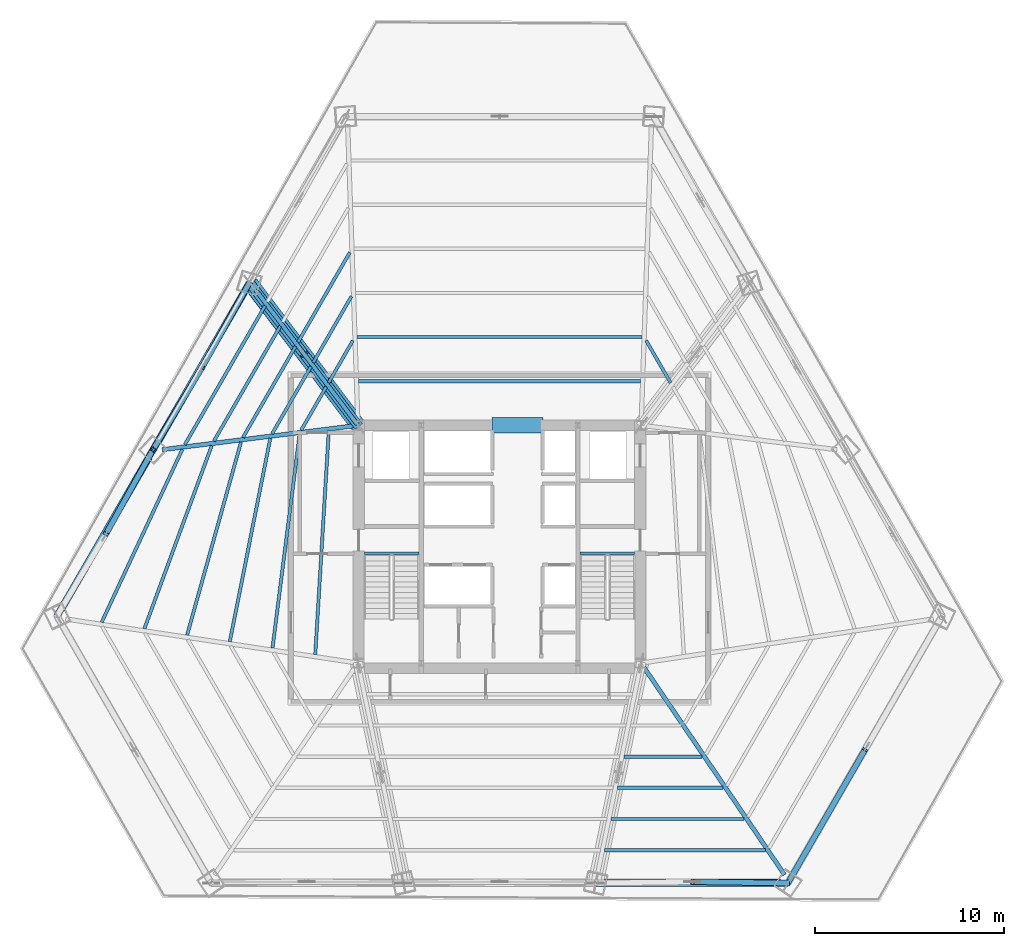
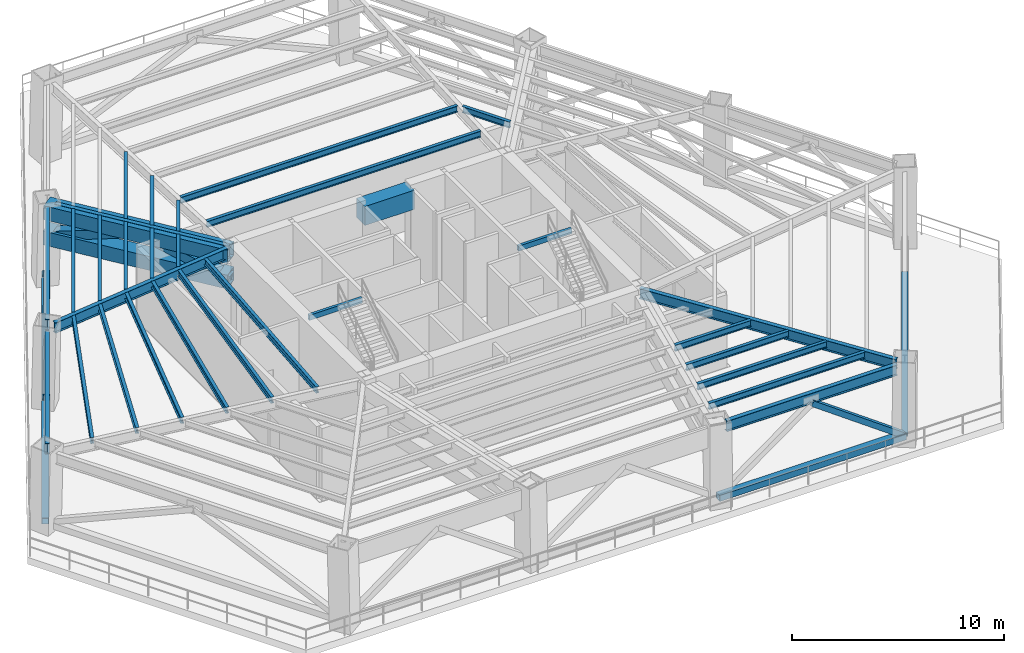
# One storey, part 4 of 13: 30 beams, 13 members.
"""IFC4 building model written with IfcOpenShell, lengths in metres."""

from ifc_helpers import new_model, si_unit, direction, frame, origin, origin_2d, place, context, subcontext, project, spatial, rectangle, hollow_rectangle, i_section, extrude, source, transform, mapped, material, material_profile, profile_set, type_object, type_shapes, element, save


model = new_model("IFC4")

# Units and contexts
model_context = context("Model", 3, precision=1e-05, world=origin(), true_north=direction((0.0, 1.0)))
body_context = subcontext(model_context, "Body", "Model", "MODEL_VIEW")
ifc_project = project(units=[si_unit("LENGTHUNIT", "METRE"), si_unit("AREAUNIT", "SQUARE_METRE"), si_unit("VOLUMEUNIT", "CUBIC_METRE"), si_unit("PLANEANGLEUNIT", "RADIAN"), si_unit("MASSUNIT", "GRAM", prefix="KILO")], contexts=[model_context])

# Site, building, storey
site_placement = place(None, origin())
site = spatial("IfcSite", under=ifc_project, at=site_placement, CompositionType="ELEMENT")
building_placement = place(site_placement, origin())
building = spatial("IfcBuilding", under=site, at=building_placement, Name="Caelisora Broadcast Tower", CompositionType="ELEMENT")
storey_placement = place(building_placement, frame((0.0, 0.0, 75.050048828125)))
storey = spatial("IfcBuildingStorey", under=building, at=storey_placement, Name="L19", CompositionType="ELEMENT", Elevation=75.050048828125)

# Beams
ifc_material_1 = material(Name="Steel Grade 350 (AS/NZS 1163 C350L0)", Category="steel")
ifc_material_profile_1 = material_profile(ifc_material_1, hollow_rectangle(XDim=0.14990234375, YDim=0.300048828125, WallThickness=0.010009765625, at=origin_2d()), Name="Steel Grade 350 (AS/NZS 1163 C350L0)")
ifc_profile_set_1 = profile_set([ifc_material_profile_1], Name="Steel Grade 350 (AS/NZS 1163 C350L0)")
beam_type_1 = type_object("IfcBeamType", Name="SB05", PredefinedType="JOIST", material=ifc_profile_set_1)
shared_shape_1 = source(origin(), body_context, "Body", "SweptSolid", [
    extrude(hollow_rectangle(XDim=0.14990234375, YDim=0.300048828125, WallThickness=0.010009765625, at=origin_2d()), origin(), (0.0, 0.0, 1.0), 2.89990234375),
])
type_shapes(beam_type_1, [shared_shape_1])
for number, where, z_axis, x_axis, name in (
    (1, (30.840087890625, 23.219970703125, 4.39990234375), (1.0, 0.0, 0.0), (0.0, 1.0, 0.0), "L19 beam SB05"),
    (2, (42.260009765625, 23.219970703125, 4.39990234375), (1.0, 0.0, 0.0), (0.0, 1.0, 0.0), "L19 beam SB05"),
):
    element("IfcBeam", number, at=place(storey_placement, frame(where, z_axis=z_axis, x_axis=x_axis)), inside=storey, type_object=beam_type_1, Name=name, PredefinedType="JOIST", context=body_context, shape_type="MappedRepresentation", body=[
        mapped(shared_shape_1, transform((0.0, 0.0, 0.0), scale=1.0)),
    ])
ifc_material_2 = material(Name="Concrete 65 MPa (AS 3600 S65)", Category="concrete")
ifc_material_profile_2 = material_profile(ifc_material_2, rectangle(XDim=0.800048828125, YDim=1.10009765625, at=origin_2d()), Name="Concrete 65 MPa (AS 3600 S65)")
ifc_profile_set_2 = profile_set([ifc_material_profile_2], Name="Concrete 65 MPa (AS 3600 S65)")
beam_type_2 = type_object("IfcBeamType", Name="CB01", PredefinedType="LINTEL", material=ifc_profile_set_2)
shared_shape_2 = source(origin(), body_context, "Body", "SweptSolid", [
    extrude(rectangle(XDim=0.800048828125, YDim=1.10009765625, at=origin_2d()), origin(), (0.0, 0.0, 1.0), 2.699951171875),
])
type_shapes(beam_type_2, [shared_shape_2])
beam_1_placement = place(storey_placement, frame((37.60009765625, 30.0, 4.0), z_axis=(1.0, 0.0, 0.0), x_axis=(0.0, 1.0, 0.0)))
element("IfcBeam", 3, at=beam_1_placement, inside=storey, type_object=beam_type_2, Name="L19 beam CB01", PredefinedType="LINTEL", context=body_context, shape_type="MappedRepresentation", body=[
    mapped(shared_shape_2, transform((0.0, 0.0, 0.0), scale=1.0)),
])
ifc_material_3 = material(Name="Steel Grade 350 (AS/NZS 3679.1)", Category="steel")
ifc_material_profile_3 = material_profile(ifc_material_3, i_section(OverallWidth=0.172119140625, OverallDepth=0.358642578125, WebThickness=0.008056640625, FlangeThickness=0.012939453125, at=origin_2d()), Name="Steel Grade 350 (AS/NZS 3679.1)")
ifc_profile_set_3 = profile_set([ifc_material_profile_3], Name="Steel Grade 350 (AS/NZS 3679.1)")
beam_type_3 = type_object("IfcBeamType", Name="SB02", PredefinedType="JOIST", material=ifc_profile_set_3)
shared_shape_3 = source(origin(), body_context, "Body", "SweptSolid", [
    extrude(i_section(OverallWidth=0.172119140625, OverallDepth=0.358642578125, WebThickness=0.008056640625, FlangeThickness=0.012939453125, at=origin_2d()), origin(), (0.0, 0.0, 1.0), 10.33642578125),
])
beam_2_placement = place(storey_placement, frame((22.75146484375, 28.922119140625, 4.37060546875), z_axis=(-0.3452926764, -0.938495054662, 0.0), x_axis=(0.938495054662, -0.3452926764, 0.0)))
element("IfcBeam", 4, at=beam_2_placement, inside=storey, type_object=beam_type_3, Name="L19 beam SB02", PredefinedType="JOIST", context=body_context, shape_type="MappedRepresentation", body=[
    mapped(shared_shape_3, transform((0.0, 0.0, 0.0), scale=1.0)),
])
ifc_material_profile_4 = material_profile(ifc_material_3, i_section(OverallWidth=0.22900390625, OverallDepth=0.611572265625, WebThickness=0.011962890625, FlangeThickness=0.01953125, at=origin_2d()), Name="Steel Grade 350 (AS/NZS 3679.1)")
ifc_profile_set_4 = profile_set([ifc_material_profile_4], Name="Steel Grade 350 (AS/NZS 3679.1)")
beam_type_4 = type_object("IfcBeamType", Name="PG03", PredefinedType="BEAM", material=ifc_profile_set_4)
shared_shape_4 = source(origin(), body_context, "Body", "SweptSolid", [
    extrude(i_section(OverallWidth=0.22900390625, OverallDepth=0.611572265625, WebThickness=0.011962890625, FlangeThickness=0.01953125, at=origin_2d()), origin(), (0.0, 0.0, 1.0), 9.303955078125),
])
beam_3_placement = place(storey_placement, frame((24.594482421875, 37.111328125, 4.244140625), z_axis=(-0.499982911864, -0.8660352694, 0.0), x_axis=(0.8660352694, -0.499982911864, 0.0)))
element("IfcBeam", 5, at=beam_3_placement, inside=storey, type_object=beam_type_4, Name="L19 beam PG03", PredefinedType="BEAM", context=body_context, shape_type="MappedRepresentation", body=[
    mapped(shared_shape_4, transform((0.0, 0.0, 0.0), scale=1.0)),
])
shared_shape_5 = source(origin(), body_context, "Body", "SweptSolid", [
    extrude(i_section(OverallWidth=0.22900390625, OverallDepth=0.611572265625, WebThickness=0.011962890625, FlangeThickness=0.01953125, at=origin_2d()), origin(), (0.0, 0.0, 1.0), 9.30419921875),
])
type_shapes(beam_type_4, [shared_shape_4, shared_shape_5])
for number, where, z_axis, x_axis, name in (
    (6, (19.482666015625, 28.257080078125, 4.244140625), (-0.500002592159, -0.866023907196, 0.0), (0.866023907196, -0.500002592159, 0.0), "L19 beam PG03"),
    (7, (43.572021484375, 5.8349609375, 4.244140625), (1.0, 0.0, 0.0), (0.0, 1.0, 0.0), "L19 beam PG03"),
):
    element("IfcBeam", number, at=place(storey_placement, frame(where, z_axis=z_axis, x_axis=x_axis)), inside=storey, type_object=beam_type_4, Name=name, PredefinedType="BEAM", context=body_context, shape_type="MappedRepresentation", body=[
        mapped(shared_shape_5, transform((0.0, 0.0, 0.0), scale=1.0)),
    ])
ifc_material_profile_5 = material_profile(ifc_material_3, i_section(OverallWidth=0.22802734375, OverallDepth=0.602294921875, WebThickness=0.010498046875, FlangeThickness=0.014892578125, at=origin_2d()), Name="Steel Grade 350 (AS/NZS 3679.1)")
ifc_profile_set_5 = profile_set([ifc_material_profile_5], Name="Steel Grade 350 (AS/NZS 3679.1)")
beam_type_5 = type_object("IfcBeamType", Name="PG04", PredefinedType="BEAM", material=ifc_profile_set_5)
shared_shape_6 = source(origin(), body_context, "Body", "SweptSolid", [
    extrude(i_section(OverallWidth=0.22802734375, OverallDepth=0.602294921875, WebThickness=0.010498046875, FlangeThickness=0.014892578125, at=origin_2d()), origin(), (0.0, 0.0, 1.0), 8.93310546875),
])
beam_4_placement = place(storey_placement, frame((30.4638671875, 30.0478515625, 4.248779296875), z_axis=(-0.602930127759, 0.797793996619, 0.0), x_axis=(-0.797793996619, -0.602930127759, 0.0)))
element("IfcBeam", 8, at=beam_4_placement, inside=storey, type_object=beam_type_5, Name="L19 beam PG04", PredefinedType="BEAM", context=body_context, shape_type="MappedRepresentation", body=[
    mapped(shared_shape_6, transform((0.0, 0.0, 0.0), scale=1.0)),
])
shared_shape_7 = source(origin(), body_context, "Body", "SweptSolid", [
    extrude(i_section(OverallWidth=0.22802734375, OverallDepth=0.602294921875, WebThickness=0.010498046875, FlangeThickness=0.014892578125, at=origin_2d()), origin(), (0.0, 0.0, 1.0), 10.390869140625),
])
beam_5_placement = place(storey_placement, frame((30.4404296875, 29.99267578125, 4.248779296875), z_axis=(-0.992319029863, -0.123705064456, 0.0), x_axis=(0.123705064456, -0.992319029863, 0.0)))
element("IfcBeam", 9, at=beam_5_placement, inside=storey, type_object=beam_type_5, Name="L19 beam PG04", PredefinedType="BEAM", context=body_context, shape_type="MappedRepresentation", body=[
    mapped(shared_shape_7, transform((0.0, 0.0, 0.0), scale=1.0)),
])
shared_shape_8 = source(origin(), body_context, "Body", "SweptSolid", [
    extrude(i_section(OverallWidth=0.22802734375, OverallDepth=0.602294921875, WebThickness=0.010498046875, FlangeThickness=0.014892578125, at=origin_2d()), origin(), (0.0, 0.0, 1.0), 13.48974609375),
])
type_shapes(beam_type_5, [shared_shape_6, shared_shape_7, shared_shape_8])
beam_6_placement = place(storey_placement, frame((45.53369140625, 17.350341796875, 4.248779296875), z_axis=(0.560932578548, -0.827861487402, 0.0), x_axis=(0.827861487402, 0.560932578548, 0.0)))
element("IfcBeam", 10, at=beam_6_placement, inside=storey, type_object=beam_type_5, Name="L19 beam PG04", PredefinedType="BEAM", context=body_context, shape_type="MappedRepresentation", body=[
    mapped(shared_shape_8, transform((0.0, 0.0, 0.0), scale=1.0)),
])
shared_shape_9 = source(origin(), body_context, "Body", "SweptSolid", [
    extrude(i_section(OverallWidth=0.172119140625, OverallDepth=0.358642578125, WebThickness=0.008056640625, FlangeThickness=0.012939453125, at=origin_2d()), origin(), (0.0, 0.0, 1.0), 14.93896484375),
])
beam_7_placement = place(storey_placement, frame((45.469482421875, 32.337646484375, 4.37060546875), z_axis=(-1.0, 0.0, 0.0), x_axis=(0.0, -1.0, 0.0)))
element("IfcBeam", 11, at=beam_7_placement, inside=storey, type_object=beam_type_3, Name="L19 beam SB02", PredefinedType="JOIST", context=body_context, shape_type="MappedRepresentation", body=[
    mapped(shared_shape_9, transform((0.0, 0.0, 0.0), scale=1.0)),
])
shared_shape_10 = source(origin(), body_context, "Body", "SweptSolid", [
    extrude(i_section(OverallWidth=0.172119140625, OverallDepth=0.358642578125, WebThickness=0.008056640625, FlangeThickness=0.012939453125, at=origin_2d()), origin(), (0.0, 0.0, 1.0), 15.099609375),
])
beam_8_placement = place(storey_placement, frame((45.5498046875, 34.67529296875, 4.37060546875), z_axis=(-1.0, 0.0, 0.0), x_axis=(0.0, -1.0, 0.0)))
element("IfcBeam", 12, at=beam_8_placement, inside=storey, type_object=beam_type_3, Name="L19 beam SB02", PredefinedType="JOIST", context=body_context, shape_type="MappedRepresentation", body=[
    mapped(shared_shape_10, transform((0.0, 0.0, 0.0), scale=1.0)),
])
shared_shape_11 = source(origin(), body_context, "Body", "SweptSolid", [
    extrude(i_section(OverallWidth=0.172119140625, OverallDepth=0.358642578125, WebThickness=0.008056640625, FlangeThickness=0.012939453125, at=origin_2d()), origin(), (0.0, 0.0, 1.0), 2.588134765625),
])
for number, where, z_axis, x_axis, name in (
    (13, (30.23291015625, 34.49169921875, 4.37060546875), (-0.49995381336, -0.866052068011, 0.0), (0.866052068011, -0.49995381336, 0.0), "L19 beam SB02"),
    (14, (47.06103515625, 32.250244140625, 4.37060546875), (-0.49995381336, 0.866052068011, 0.0), (-0.866052068011, -0.49995381336, 0.0), "L19 beam SB02"),
):
    element("IfcBeam", number, at=place(storey_placement, frame(where, z_axis=z_axis, x_axis=x_axis)), inside=storey, type_object=beam_type_3, Name=name, PredefinedType="JOIST", context=body_context, shape_type="MappedRepresentation", body=[
        mapped(shared_shape_11, transform((0.0, 0.0, 0.0), scale=1.0)),
    ])
shared_shape_12 = source(origin(), body_context, "Body", "SweptSolid", [
    extrude(i_section(OverallWidth=0.172119140625, OverallDepth=0.358642578125, WebThickness=0.008056640625, FlangeThickness=0.012939453125, at=origin_2d()), origin(), (0.0, 0.0, 1.0), 4.048583984375),
])
beam_9_placement = place(storey_placement, frame((30.15234375, 36.829345703125, 4.37060546875), z_axis=(-0.499959089475, -0.866049022198, 0.0), x_axis=(0.866049022198, -0.499959089475, 0.0)))
element("IfcBeam", 15, at=beam_9_placement, inside=storey, type_object=beam_type_3, Name="L19 beam SB02", PredefinedType="JOIST", context=body_context, shape_type="MappedRepresentation", body=[
    mapped(shared_shape_12, transform((0.0, 0.0, 0.0), scale=1.0)),
])
shared_shape_13 = source(origin(), body_context, "Body", "SweptSolid", [
    extrude(i_section(OverallWidth=0.172119140625, OverallDepth=0.358642578125, WebThickness=0.008056640625, FlangeThickness=0.012939453125, at=origin_2d()), origin(), (0.0, 0.0, 1.0), 5.509033203125),
])
beam_10_placement = place(storey_placement, frame((30.072021484375, 39.1669921875, 4.37060546875), z_axis=(-0.500013993928, -0.866017324235, 0.0), x_axis=(0.866017324235, -0.500013993928, 0.0)))
element("IfcBeam", 16, at=beam_10_placement, inside=storey, type_object=beam_type_3, Name="L19 beam SB02", PredefinedType="JOIST", context=body_context, shape_type="MappedRepresentation", body=[
    mapped(shared_shape_13, transform((0.0, 0.0, 0.0), scale=1.0)),
])
shared_shape_14 = source(origin(), body_context, "Body", "SweptSolid", [
    extrude(i_section(OverallWidth=0.172119140625, OverallDepth=0.358642578125, WebThickness=0.008056640625, FlangeThickness=0.012939453125, at=origin_2d()), origin(), (0.0, 0.0, 1.0), 2.660400390625),
])
beam_11_placement = place(storey_placement, frame((28.818115234375, 32.041015625, 4.37060546875), z_axis=(-0.500037544306, -0.866003726484, 0.0), x_axis=(0.866003726484, -0.500037544306, 0.0)))
element("IfcBeam", 17, at=beam_11_placement, inside=storey, type_object=beam_type_3, Name="L19 beam SB02", PredefinedType="JOIST", context=body_context, shape_type="MappedRepresentation", body=[
    mapped(shared_shape_14, transform((0.0, 0.0, 0.0), scale=1.0)),
])
shared_shape_15 = source(origin(), body_context, "Body", "SweptSolid", [
    extrude(i_section(OverallWidth=0.172119140625, OverallDepth=0.358642578125, WebThickness=0.008056640625, FlangeThickness=0.012939453125, at=origin_2d()), origin(), (0.0, 0.0, 1.0), 4.12109375),
])
beam_12_placement = place(storey_placement, frame((28.00732421875, 33.11376953125, 4.37060546875), z_axis=(-0.500013052638, -0.866017867709, 0.0), x_axis=(0.866017867709, -0.500013052638, 0.0)))
element("IfcBeam", 18, at=beam_12_placement, inside=storey, type_object=beam_type_3, Name="L19 beam SB02", PredefinedType="JOIST", context=body_context, shape_type="MappedRepresentation", body=[
    mapped(shared_shape_15, transform((0.0, 0.0, 0.0), scale=1.0)),
])
shared_shape_16 = source(origin(), body_context, "Body", "SweptSolid", [
    extrude(i_section(OverallWidth=0.172119140625, OverallDepth=0.358642578125, WebThickness=0.008056640625, FlangeThickness=0.012939453125, at=origin_2d()), origin(), (0.0, 0.0, 1.0), 5.58154296875),
])
beam_13_placement = place(storey_placement, frame((27.196533203125, 34.1865234375, 4.37060546875), z_axis=(-0.500001378502, -0.866024607905, 0.0), x_axis=(0.866024607905, -0.500001378502, 0.0)))
element("IfcBeam", 19, at=beam_13_placement, inside=storey, type_object=beam_type_3, Name="L19 beam SB02", PredefinedType="JOIST", context=body_context, shape_type="MappedRepresentation", body=[
    mapped(shared_shape_16, transform((0.0, 0.0, 0.0), scale=1.0)),
])
shared_shape_17 = source(origin(), body_context, "Body", "SweptSolid", [
    extrude(i_section(OverallWidth=0.172119140625, OverallDepth=0.358642578125, WebThickness=0.008056640625, FlangeThickness=0.012939453125, at=origin_2d()), origin(), (0.0, 0.0, 1.0), 7.042236328125),
])
beam_14_placement = place(storey_placement, frame((26.3857421875, 35.259521484375, 4.37060546875), z_axis=(-0.49997953523, -0.866037218803, 0.0), x_axis=(0.866037218803, -0.49997953523, 0.0)))
element("IfcBeam", 20, at=beam_14_placement, inside=storey, type_object=beam_type_3, Name="L19 beam SB02", PredefinedType="JOIST", context=body_context, shape_type="MappedRepresentation", body=[
    mapped(shared_shape_17, transform((0.0, 0.0, 0.0), scale=1.0)),
])
shared_shape_18 = source(origin(), body_context, "Body", "SweptSolid", [
    extrude(i_section(OverallWidth=0.172119140625, OverallDepth=0.358642578125, WebThickness=0.008056640625, FlangeThickness=0.012939453125, at=origin_2d()), origin(), (0.0, 0.0, 1.0), 8.5029296875),
])
beam_15_placement = place(storey_placement, frame((25.574951171875, 36.332275390625, 4.37060546875), z_axis=(-0.499999164051, -0.866025886419, 0.0), x_axis=(0.866025886419, -0.499999164051, 0.0)))
element("IfcBeam", 21, at=beam_15_placement, inside=storey, type_object=beam_type_3, Name="L19 beam SB02", PredefinedType="JOIST", context=body_context, shape_type="MappedRepresentation", body=[
    mapped(shared_shape_18, transform((0.0, 0.0, 0.0), scale=1.0)),
])
shared_shape_19 = source(origin(), body_context, "Body", "SweptSolid", [
    extrude(i_section(OverallWidth=0.172119140625, OverallDepth=0.358642578125, WebThickness=0.008056640625, FlangeThickness=0.012939453125, at=origin_2d()), origin(), (0.0, 0.0, 1.0), 11.862548828125),
])
beam_16_placement = place(storey_placement, frame((28.9521484375, 29.695068359375, 4.37060546875), z_axis=(-0.060425465621, -0.998172712062, 0.0), x_axis=(0.998172712062, -0.060425465621, 0.0)))
element("IfcBeam", 22, at=beam_16_placement, inside=storey, type_object=beam_type_3, Name="L19 beam SB02", PredefinedType="JOIST", context=body_context, shape_type="MappedRepresentation", body=[
    mapped(shared_shape_19, transform((0.0, 0.0, 0.0), scale=1.0)),
])
shared_shape_20 = source(origin(), body_context, "Body", "SweptSolid", [
    extrude(i_section(OverallWidth=0.172119140625, OverallDepth=0.358642578125, WebThickness=0.008056640625, FlangeThickness=0.012939453125, at=origin_2d()), origin(), (0.0, 0.0, 1.0), 11.396240234375),
])
beam_17_placement = place(storey_placement, frame((27.403564453125, 29.501953125, 4.37060546875), z_axis=(-0.125687745787, -0.992069851653, 0.0), x_axis=(0.992069851653, -0.125687745787, 0.0)))
element("IfcBeam", 23, at=beam_17_placement, inside=storey, type_object=beam_type_3, Name="L19 beam SB02", PredefinedType="JOIST", context=body_context, shape_type="MappedRepresentation", body=[
    mapped(shared_shape_20, transform((0.0, 0.0, 0.0), scale=1.0)),
])
shared_shape_21 = source(origin(), body_context, "Body", "SweptSolid", [
    extrude(i_section(OverallWidth=0.172119140625, OverallDepth=0.358642578125, WebThickness=0.008056640625, FlangeThickness=0.012939453125, at=origin_2d()), origin(), (0.0, 0.0, 1.0), 10.982421875),
])
beam_18_placement = place(storey_placement, frame((25.85400390625, 29.308837890625, 4.37060546875), z_axis=(-0.195423537617, -0.980718940852, 0.0), x_axis=(0.980718940852, -0.195423537617, 0.0)))
element("IfcBeam", 24, at=beam_18_placement, inside=storey, type_object=beam_type_3, Name="L19 beam SB02", PredefinedType="JOIST", context=body_context, shape_type="MappedRepresentation", body=[
    mapped(shared_shape_21, transform((0.0, 0.0, 0.0), scale=1.0)),
])
shared_shape_22 = source(origin(), body_context, "Body", "SweptSolid", [
    extrude(i_section(OverallWidth=0.172119140625, OverallDepth=0.358642578125, WebThickness=0.008056640625, FlangeThickness=0.012939453125, at=origin_2d()), origin(), (0.0, 0.0, 1.0), 10.627197265625),
])
beam_19_placement = place(storey_placement, frame((24.30322265625, 29.115478515625, 4.37060546875), z_axis=(-0.268990780639, -0.963142751585, 0.0), x_axis=(0.963142751585, -0.268990780639, 0.0)))
element("IfcBeam", 25, at=beam_19_placement, inside=storey, type_object=beam_type_3, Name="L19 beam SB02", PredefinedType="JOIST", context=body_context, shape_type="MappedRepresentation", body=[
    mapped(shared_shape_22, transform((0.0, 0.0, 0.0), scale=1.0)),
])
shared_shape_23 = source(origin(), body_context, "Body", "SweptSolid", [
    extrude(i_section(OverallWidth=0.172119140625, OverallDepth=0.358642578125, WebThickness=0.008056640625, FlangeThickness=0.012939453125, at=origin_2d()), origin(), (0.0, 0.0, 1.0), 10.1142578125),
])
beam_20_placement = place(storey_placement, frame((21.197998046875, 28.728271484375, 4.37060546875), z_axis=(-0.422882822425, -0.906184373347, 0.0), x_axis=(0.906184373347, -0.422882822425, 0.0)))
element("IfcBeam", 26, at=beam_20_placement, inside=storey, type_object=beam_type_3, Name="L19 beam SB02", PredefinedType="JOIST", context=body_context, shape_type="MappedRepresentation", body=[
    mapped(shared_shape_23, transform((0.0, 0.0, 0.0), scale=1.0)),
])
shared_shape_24 = source(origin(), body_context, "Body", "SweptSolid", [
    extrude(i_section(OverallWidth=0.172119140625, OverallDepth=0.358642578125, WebThickness=0.008056640625, FlangeThickness=0.012939453125, at=origin_2d()), origin(), (0.0, 0.0, 1.0), 4.133544921875),
])
beam_21_placement = place(storey_placement, frame((44.590087890625, 12.443603515625, 4.37060546875), z_axis=(1.0, 0.0, 0.0), x_axis=(0.0, 1.0, 0.0)))
element("IfcBeam", 27, at=beam_21_placement, inside=storey, type_object=beam_type_3, Name="L19 beam SB02", PredefinedType="JOIST", context=body_context, shape_type="MappedRepresentation", body=[
    mapped(shared_shape_24, transform((0.0, 0.0, 0.0), scale=1.0)),
])
shared_shape_25 = source(origin(), body_context, "Body", "SweptSolid", [
    extrude(i_section(OverallWidth=0.172119140625, OverallDepth=0.358642578125, WebThickness=0.008056640625, FlangeThickness=0.012939453125, at=origin_2d()), origin(), (0.0, 0.0, 1.0), 5.59423828125),
])
beam_22_placement = place(storey_placement, frame((44.248779296875, 10.79150390625, 4.37060546875), z_axis=(1.0, 0.0, 0.0), x_axis=(0.0, 1.0, 0.0)))
element("IfcBeam", 28, at=beam_22_placement, inside=storey, type_object=beam_type_3, Name="L19 beam SB02", PredefinedType="JOIST", context=body_context, shape_type="MappedRepresentation", body=[
    mapped(shared_shape_25, transform((0.0, 0.0, 0.0), scale=1.0)),
])
shared_shape_26 = source(origin(), body_context, "Body", "SweptSolid", [
    extrude(i_section(OverallWidth=0.172119140625, OverallDepth=0.358642578125, WebThickness=0.008056640625, FlangeThickness=0.012939453125, at=origin_2d()), origin(), (0.0, 0.0, 1.0), 7.0546875),
])
beam_23_placement = place(storey_placement, frame((43.90771484375, 9.13916015625, 4.37060546875), z_axis=(1.0, 0.0, 0.0), x_axis=(0.0, 1.0, 0.0)))
element("IfcBeam", 29, at=beam_23_placement, inside=storey, type_object=beam_type_3, Name="L19 beam SB02", PredefinedType="JOIST", context=body_context, shape_type="MappedRepresentation", body=[
    mapped(shared_shape_26, transform((0.0, 0.0, 0.0), scale=1.0)),
])
shared_shape_27 = source(origin(), body_context, "Body", "SweptSolid", [
    extrude(i_section(OverallWidth=0.172119140625, OverallDepth=0.358642578125, WebThickness=0.008056640625, FlangeThickness=0.012939453125, at=origin_2d()), origin(), (0.0, 0.0, 1.0), 8.515625),
])
type_shapes(beam_type_3, [shared_shape_3, shared_shape_9, shared_shape_10, shared_shape_11, shared_shape_12, shared_shape_13, shared_shape_14, shared_shape_15, shared_shape_16, shared_shape_17, shared_shape_18, shared_shape_19, shared_shape_20, shared_shape_21, shared_shape_22, shared_shape_23, shared_shape_24, shared_shape_25, shared_shape_26, shared_shape_27])
beam_24_placement = place(storey_placement, frame((43.56640625, 7.487060546875, 4.37060546875), z_axis=(1.0, 0.0, 0.0), x_axis=(0.0, 1.0, 0.0)))
element("IfcBeam", 30, at=beam_24_placement, inside=storey, type_object=beam_type_3, Name="L19 beam SB02", PredefinedType="JOIST", context=body_context, shape_type="MappedRepresentation", body=[
    mapped(shared_shape_27, transform((0.0, 0.0, 0.0), scale=1.0)),
])

# Members
ifc_material_4 = material(Name="Steel Grade 350 L15 (AS/NZS 3678)", Category="steel")
ifc_material_profile_6 = material_profile(ifc_material_4, hollow_rectangle(XDim=0.800048828125, YDim=0.800048828125, WallThickness=0.044921875, at=origin_2d()), Name="Steel Grade 350 L15 (AS/NZS 3678)")
ifc_profile_set_6 = profile_set([ifc_material_profile_6], Name="Steel Grade 350 L15 (AS/NZS 3678)")
member_type_1 = type_object("IfcMemberType", Name="OR01", PredefinedType="CHORD", material=ifc_profile_set_6)
shared_shape_28 = source(origin(), body_context, "Body", "SweptSolid", [
    extrude(hollow_rectangle(XDim=0.800048828125, YDim=0.800048828125, WallThickness=0.044921875, at=origin_2d()), origin(), (0.0, 0.0, 1.0), 9.447998046875),
])
member_1_placement = place(storey_placement, frame((30.5, 30.0, 2.679931640625), z_axis=(-0.605048542536, 0.796188583926, 0.0), x_axis=(-0.796188583926, -0.605048542536, 0.0)))
element("IfcMember", 31, at=member_1_placement, inside=storey, type_object=member_type_1, Name="L19 outrigger chord OR01", PredefinedType="CHORD", context=body_context, shape_type="MappedRepresentation", body=[
    mapped(shared_shape_28, transform((0.0, 0.0, 0.0), scale=1.0)),
])
shared_shape_29 = source(origin(), body_context, "Body", "SweptSolid", [
    extrude(hollow_rectangle(XDim=0.800048828125, YDim=0.800048828125, WallThickness=0.044921875, at=origin_2d()), origin(), (0.0, 0.0, 1.0), 9.424072265625),
])
type_shapes(member_type_1, [shared_shape_28, shared_shape_29])
member_2_placement = place(storey_placement, frame((30.5, 30.0, 4.1298828125), z_axis=(-0.603608272257, 0.797281038068, 0.0), x_axis=(-0.797281038068, -0.603608272257, 0.0)))
element("IfcMember", 32, at=member_2_placement, inside=storey, type_object=member_type_1, Name="L19 outrigger chord OR01", PredefinedType="CHORD", context=body_context, shape_type="MappedRepresentation", body=[
    mapped(shared_shape_29, transform((0.0, 0.0, 0.0), scale=1.0)),
])
ifc_material_5 = material(Name="Steel Grade 450 L15 (AS/NZS 3678)", Category="steel")
ifc_material_profile_7 = material_profile(ifc_material_5, hollow_rectangle(XDim=0.5, YDim=0.5, WallThickness=0.02001953125, at=origin_2d()), Name="Steel Grade 450 L15 (AS/NZS 3678)")
ifc_profile_set_7 = profile_set([ifc_material_profile_7], Name="Steel Grade 450 L15 (AS/NZS 3678)")
member_type_2 = type_object("IfcMemberType", Name="OR02", PredefinedType="STRUT", material=ifc_profile_set_7)
shared_shape_30 = source(origin(), body_context, "Body", "SweptSolid", [
    extrude(hollow_rectangle(XDim=0.5, YDim=0.5, WallThickness=0.02001953125, at=origin_2d()), origin(), (0.0, 0.0, 1.0), 4.93017578125),
])
member_3_placement = place(storey_placement, frame((30.5, 30.0, 2.679931640625), z_axis=(-0.576913135303, 0.762020543008, 0.294101897902), x_axis=(-0.797281038068, -0.603608272257, 0.0)))
element("IfcMember", 33, at=member_3_placement, inside=storey, type_object=member_type_2, Name="L19 outrigger diagonal OR02", PredefinedType="STRUT", context=body_context, shape_type="MappedRepresentation", body=[
    mapped(shared_shape_30, transform((0.0, 0.0, 0.0), scale=1.0)),
])
shared_shape_31 = source(origin(), body_context, "Body", "SweptSolid", [
    extrude(hollow_rectangle(XDim=0.5, YDim=0.5, WallThickness=0.02001953125, at=origin_2d()), origin(), (0.0, 0.0, 1.0), 4.953125),
])
type_shapes(member_type_2, [shared_shape_30, shared_shape_31])
member_4_placement = place(storey_placement, frame((27.65576171875, 33.7568359375, 4.1298828125), z_axis=(-0.579910875719, 0.760267347819, -0.292740390216), x_axis=(-0.795099080313, -0.606479556527, 0.0)))
element("IfcMember", 34, at=member_4_placement, inside=storey, type_object=member_type_2, Name="L19 outrigger diagonal OR02", PredefinedType="STRUT", context=body_context, shape_type="MappedRepresentation", body=[
    mapped(shared_shape_31, transform((0.0, 0.0, 0.0), scale=1.0)),
])
ifc_material_profile_8 = material_profile(ifc_material_1, hollow_rectangle(XDim=0.300048828125, YDim=0.300048828125, WallThickness=0.012451171875, at=origin_2d()), Name="Steel Grade 350 (AS/NZS 1163 C350L0)")
ifc_profile_set_8 = profile_set([ifc_material_profile_8], Name="Steel Grade 350 (AS/NZS 1163 C350L0)")
member_type_3 = type_object("IfcMemberType", Name="OR06", PredefinedType="STRUT", material=ifc_profile_set_8)
shared_shape_32 = source(origin(), body_context, "Body", "SweptSolid", [
    extrude(hollow_rectangle(XDim=0.300048828125, YDim=0.300048828125, WallThickness=0.012451171875, at=origin_2d()), origin(), (0.0, 0.0, 1.0), 6.2216796875),
])
member_5_placement = place(storey_placement, frame((53.276123046875, 5.746826171875, 0.349853515625), z_axis=(-0.813212416631, 0.011536597688, 0.581852620817), x_axis=(-0.014185023158, -0.999899387498, 0.0)))
element("IfcMember", 35, at=member_5_placement, inside=storey, type_object=member_type_3, Name="L19 belt diagonal OR06", PredefinedType="STRUT", context=body_context, shape_type="MappedRepresentation", body=[
    mapped(shared_shape_32, transform((0.0, 0.0, 0.0), scale=1.0)),
])
shared_shape_33 = source(origin(), body_context, "Body", "SweptSolid", [
    extrude(hollow_rectangle(XDim=0.300048828125, YDim=0.300048828125, WallThickness=0.012451171875, at=origin_2d()), origin(), (0.0, 0.0, 1.0), 6.274658203125),
])
member_6_placement = place(storey_placement, frame((19.646240234375, 28.716796875, 0.349853515625), z_axis=(-0.398463399791, -0.713000859405, 0.576937339332), x_axis=(0.872932145946, -0.487841642927, 0.0)))
element("IfcMember", 36, at=member_6_placement, inside=storey, type_object=member_type_3, Name="L19 belt diagonal OR06", PredefinedType="STRUT", context=body_context, shape_type="MappedRepresentation", body=[
    mapped(shared_shape_33, transform((0.0, 0.0, 0.0), scale=1.0)),
])
ifc_material_profile_9 = material_profile(ifc_material_1, hollow_rectangle(XDim=0.35009765625, YDim=0.35009765625, WallThickness=0.01611328125, at=origin_2d()), Name="Steel Grade 350 (AS/NZS 1163 C350L0)")
ifc_profile_set_9 = profile_set([ifc_material_profile_9], Name="Steel Grade 350 (AS/NZS 1163 C350L0)")
member_type_4 = type_object("IfcMemberType", Name="OR05", PredefinedType="CHORD", material=ifc_profile_set_9)
shared_shape_34 = source(origin(), body_context, "Body", "SweptSolid", [
    extrude(hollow_rectangle(XDim=0.35009765625, YDim=0.35009765625, WallThickness=0.01611328125, at=origin_2d()), origin(), (0.0, 0.0, 1.0), 10.18408203125),
])
type_shapes(member_type_4, [shared_shape_34])
for number, where, z_axis, x_axis, name in (
    (37, (24.73828125, 37.536376953125, 0.349853515625), (-0.500003982961, -0.866023104208, 0.0), (0.866023104208, -0.500003982961, 0.0), "L19 belt chord OR05"),
    (38, (19.646240234375, 28.716796875, 0.349853515625), (-0.500003982961, -0.866023104208, 0.0), (0.866023104208, -0.500003982961, 0.0), "L19 belt chord OR05"),
    (39, (43.092041015625, 5.746826171875, 0.349853515625), (1.0, 0.0, 0.0), (0.0, 1.0, 0.0), "L19 belt chord OR05"),
):
    element("IfcMember", number, at=place(storey_placement, frame(where, z_axis=z_axis, x_axis=x_axis)), inside=storey, type_object=member_type_4, Name=name, PredefinedType="CHORD", context=body_context, shape_type="MappedRepresentation", body=[
        mapped(shared_shape_34, transform((0.0, 0.0, 0.0), scale=1.0)),
    ])
shared_shape_35 = source(origin(), body_context, "Body", "SweptSolid", [
    extrude(hollow_rectangle(XDim=0.300048828125, YDim=0.300048828125, WallThickness=0.012451171875, at=origin_2d()), origin(), (0.0, 0.0, 1.0), 6.248046875),
])
member_7_placement = place(storey_placement, frame((24.73828125, 37.536376953125, 0.349853515625), z_axis=(-0.397546995273, -0.711512997535, 0.579401105357), x_axis=(0.872976505467, -0.487762258588, 0.0)))
element("IfcMember", 40, at=member_7_placement, inside=storey, type_object=member_type_3, Name="L19 belt diagonal OR06", PredefinedType="STRUT", context=body_context, shape_type="MappedRepresentation", body=[
    mapped(shared_shape_35, transform((0.0, 0.0, 0.0), scale=1.0)),
])
shared_shape_36 = source(origin(), body_context, "Body", "SweptSolid", [
    extrude(hollow_rectangle(XDim=0.300048828125, YDim=0.300048828125, WallThickness=0.012451171875, at=origin_2d()), origin(), (0.0, 0.0, 1.0), 6.248291015625),
])
member_8_placement = place(storey_placement, frame((19.646240234375, 28.716796875, 0.349853515625), z_axis=(0.417426001407, 0.700047200338, 0.579387133658), x_axis=(-0.858898310605, 0.51214616277, 0.0)))
element("IfcMember", 41, at=member_8_placement, inside=storey, type_object=member_type_3, Name="L19 belt diagonal OR06", PredefinedType="STRUT", context=body_context, shape_type="MappedRepresentation", body=[
    mapped(shared_shape_36, transform((0.0, 0.0, 0.0), scale=1.0)),
])
shared_shape_37 = source(origin(), body_context, "Body", "SweptSolid", [
    extrude(hollow_rectangle(XDim=0.300048828125, YDim=0.300048828125, WallThickness=0.012451171875, at=origin_2d()), origin(), (0.0, 0.0, 1.0), 8.935546875),
])
type_shapes(member_type_3, [shared_shape_32, shared_shape_33, shared_shape_35, shared_shape_36, shared_shape_37])
member_9_placement = place(storey_placement, frame((53.276123046875, 5.746826171875, 0.349853515625), z_axis=(0.457753539053, 0.791410350496, 0.405131280714), x_axis=(-0.865630815893, 0.500682824327, 0.0)))
element("IfcMember", 42, at=member_9_placement, inside=storey, type_object=member_type_3, Name="L19 belt diagonal OR06", PredefinedType="STRUT", context=body_context, shape_type="MappedRepresentation", body=[
    mapped(shared_shape_37, transform((0.0, 0.0, 0.0), scale=1.0)),
])
ifc_material_profile_10 = material_profile(ifc_material_1, hollow_rectangle(XDim=0.199951171875, YDim=0.199951171875, WallThickness=0.009033203125, at=origin_2d()), Name="Steel Grade 350 (AS/NZS 1163 C350L0)")
ifc_profile_set_10 = profile_set([ifc_material_profile_10], Name="Steel Grade 350 (AS/NZS 1163 C350L0)")
member_type_5 = type_object("IfcMemberType", Name="TR14", PredefinedType="POST", material=ifc_profile_set_10)
shared_shape_38 = source(origin(), body_context, "Body", "SweptSolid", [
    extrude(hollow_rectangle(XDim=0.199951171875, YDim=0.199951171875, WallThickness=0.009033203125, at=origin_2d()), origin(), (0.0, 0.0, 1.0), 3.620849609375),
])
type_shapes(member_type_5, [shared_shape_38])
member_10_placement = place(storey_placement, frame((19.646240234375, 28.716796875, 0.349853515625), z_axis=(0.014901156431, -0.013822339676, 0.999793427895), x_axis=(0.680069277546, 0.733147855305, 0.0)))
element("IfcMember", 43, at=member_10_placement, inside=storey, type_object=member_type_5, Name="L19 transfer post TR14", PredefinedType="POST", context=body_context, shape_type="MappedRepresentation", body=[
    mapped(shared_shape_38, transform((0.0, 0.0, 0.0), scale=1.0)),
])

save(model, "model.ifc")
